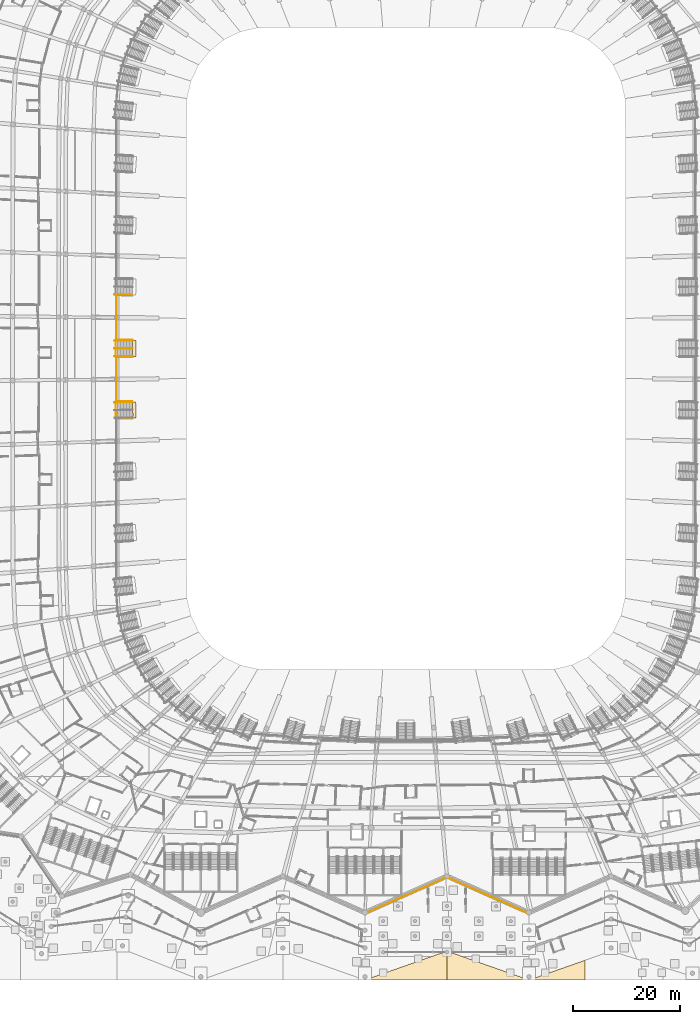
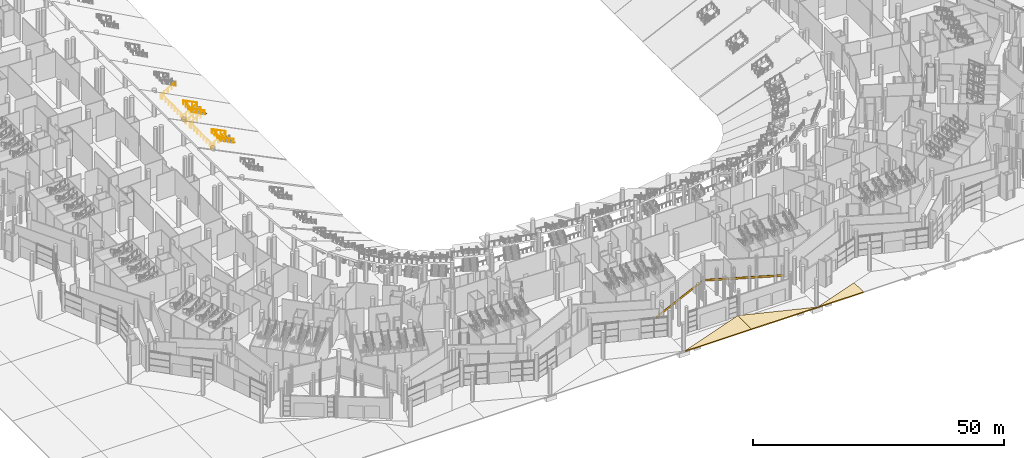
# One storey, part 203 of 255: 9 railings, 7 coverings.
"""IFC4 building model written with IfcOpenShell, lengths in metres."""

from ifc_helpers import new_model, si_unit, direction, frame, origin, origin_2d, place, context, subcontext, project, spatial, polyline, rectangle, circle, outline, extrude, material, layer, layer_set, type_object, element, save


model = new_model("IFC4")

# Units and contexts
model_context = context("Model", 3, precision=1e-05, world=origin(), true_north=direction((0.0, 1.0)))
body_context = subcontext(model_context, "Body", "Model", "MODEL_VIEW")
ifc_project = project(units=[si_unit("LENGTHUNIT", "METRE"), si_unit("AREAUNIT", "SQUARE_METRE"), si_unit("VOLUMEUNIT", "CUBIC_METRE"), si_unit("PLANEANGLEUNIT", "RADIAN"), si_unit("MASSUNIT", "GRAM", prefix="KILO")], contexts=[model_context])

# Site, building, storey
site_placement = place(None, origin())
site = spatial("IfcSite", under=ifc_project, at=site_placement, CompositionType="ELEMENT")
building_placement = place(site_placement, origin())
building = spatial("IfcBuilding", under=site, at=building_placement, Name="Meseta Stadium", CompositionType="ELEMENT")
storey_placement = place(building_placement, origin())
storey = spatial("IfcBuildingStorey", under=building, at=storey_placement, Name="L00", CompositionType="ELEMENT", Elevation=0.0)

# Coverings
ifc_material_1 = material(Name="Guadarrama granite cladding", Category="masonry")
ifc_layer_1 = layer(ifc_material_1, 0.06005859375)
ifc_layer_set_1 = layer_set([ifc_layer_1], Name="Granite plinth cladding 60")
covering_type_1 = type_object("IfcCoveringType", Name="Granite plinth cladding 60", PredefinedType="CLADDING", material=ifc_layer_set_1)
for number, where, z_axis, x_axis, name in (
    (1, (0.10595703125, -102.17724609375, 0.0), (0.0, 0.0, 1.0), (-0.914139367606, -0.405400069798, 0.0), "Granite plinth L00 F46"),
    (2, (15.227294921875, -102.17724609375, 0.0), (0.0, 0.0, 1.0), (-0.914139367606, 0.405400069798, 0.0), "Granite plinth L00 F47"),
):
    element("IfcCovering", number, at=place(storey_placement, frame(where, z_axis=z_axis, x_axis=x_axis)), inside=storey, type_object=covering_type_1, Name=name, PredefinedType="CLADDING", context=body_context, shape_type="SweptSolid", body=[
        extrude(rectangle(XDim=15.58447265625, YDim=0.06005859375, at=origin_2d()), origin(), (0.0, 0.0, 1.0), 0.5),
    ])
ifc_material_2 = material(Name="Guadarrama granite paving on bedding", Category="masonry")
ifc_layer_2 = layer(ifc_material_2, 0.25)
ifc_layer_set_2 = layer_set([ifc_layer_2], Name="Ground paving 250")
covering_type_2 = type_object("IfcCoveringType", Name="Ground paving 250", PredefinedType="FLOORING", material=ifc_layer_set_2)
covering_1_placement = place(storey_placement, frame((0.0, 0.0, -0.25)))
element("IfcCovering", 3, at=covering_1_placement, inside=storey, type_object=covering_type_2, Name="Forecourt paving 01", PredefinedType="FLOORING", context=body_context, shape_type="SweptSolid", body=[
    extrude(outline(polyline([(23.0, -118.0), (33.499755859375, -118.0), (33.499755859375, -114.30224609375), (23.0, -118.0)])), origin(), (0.0, 0.0, 1.0), 0.25),
])
covering_2_placement = place(storey_placement, frame((0.0, 0.0, -0.25)))
element("IfcCovering", 4, at=covering_2_placement, inside=storey, type_object=covering_type_2, Name="Forecourt paving 04", PredefinedType="FLOORING", context=body_context, shape_type="SweptSolid", body=[
    extrude(outline(polyline([(7.666748046875, -118.0), (7.666748046875, -112.497314453125), (7.58837890625, -112.5078125), (7.515380859375, -112.5380859375), (7.45263671875, -112.5859375), (7.383544921875, -112.69970703125), (-7.666748046875, -118.0), (7.666748046875, -118.0)])), origin(), (0.0, 0.0, 1.0), 0.25),
])
covering_3_placement = place(storey_placement, frame((0.0, 0.0, -0.25)))
element("IfcCovering", 5, at=covering_3_placement, inside=storey, type_object=covering_type_2, Name="Forecourt paving 05", PredefinedType="FLOORING", context=body_context, shape_type="SweptSolid", body=[
    extrude(outline(polyline([(7.666748046875, -118.0), (23.0, -118.0), (7.949951171875, -112.69970703125), (7.880615234375, -112.5859375), (7.818115234375, -112.5380859375), (7.7451171875, -112.5078125), (7.666748046875, -112.497314453125), (7.666748046875, -118.0)])), origin(), (0.0, 0.0, 1.0), 0.25),
])

# Railings
ifc_material_3 = material(Name="Steel S355", Category="steel")
railing_type_1 = type_object("IfcRailingType", Name="Plate edge guard 1100", PredefinedType="GUARDRAIL", material=ifc_material_3)
railing_1_placement = place(storey_placement, frame((-54.09765625, 9.966796875, 0.0)))
element("IfcRailing", 6, at=railing_1_placement, inside=storey, type_object=railing_type_1, Name="L00 inner edge guard 33", PredefinedType="GUARDRAIL", context=body_context, shape_type="SweptSolid", body=[
    extrude(circle(Radius=0.02490234375, at=origin_2d()), frame((0.0, 0.0, 1.0751953125), z_axis=(-0.000261681147, -0.999999965761, 0.0), x_axis=(0.999999965761, -0.000261681147, 0.0)), (0.0, 0.0, 1.0), 8.396728515625),
    extrude(circle(Radius=0.02001953125, at=origin_2d()), origin(), (0.0, 0.0, 1.0), 1.050048828125),
    extrude(circle(Radius=0.02001953125, at=origin_2d()), frame((-0.000244140625, -1.199462890625, 0.0)), (0.0, 0.0, 1.0), 1.050048828125),
    extrude(circle(Radius=0.02001953125, at=origin_2d()), frame((-0.000732421875, -2.399169921875, 0.0)), (0.0, 0.0, 1.0), 1.050048828125),
    extrude(circle(Radius=0.02001953125, at=origin_2d()), frame((-0.0009765625, -3.5986328125, 0.0)), (0.0, 0.0, 1.0), 1.050048828125),
    extrude(circle(Radius=0.02001953125, at=origin_2d()), frame((-0.001220703125, -4.798095703125, 0.0)), (0.0, 0.0, 1.0), 1.050048828125),
    extrude(circle(Radius=0.02001953125, at=origin_2d()), frame((-0.00146484375, -5.99755859375, 0.0)), (0.0, 0.0, 1.0), 1.050048828125),
    extrude(circle(Radius=0.02001953125, at=origin_2d()), frame((-0.001953125, -7.197265625, 0.0)), (0.0, 0.0, 1.0), 1.050048828125),
    extrude(circle(Radius=0.02001953125, at=origin_2d()), frame((-0.002197265625, -8.396728515625, 0.0)), (0.0, 0.0, 1.0), 1.050048828125),
])
railing_2_placement = place(storey_placement, frame((-54.099853515625, -1.570068359375, 0.0)))
element("IfcRailing", 7, at=railing_2_placement, inside=storey, type_object=railing_type_1, Name="L00 inner edge guard 34", PredefinedType="GUARDRAIL", context=body_context, shape_type="SweptSolid", body=[
    extrude(circle(Radius=0.02490234375, at=origin_2d()), frame((0.0, 0.0, 1.0751953125), z_axis=(0.000261681147, -0.999999965761, 0.0), x_axis=(0.999999965761, 0.000261681147, 0.0)), (0.0, 0.0, 1.0), 8.396728515625),
    extrude(circle(Radius=0.02001953125, at=origin_2d()), origin(), (0.0, 0.0, 1.0), 1.050048828125),
    extrude(circle(Radius=0.02001953125, at=origin_2d()), frame((0.000244140625, -1.199462890625, 0.0)), (0.0, 0.0, 1.0), 1.050048828125),
    extrude(circle(Radius=0.02001953125, at=origin_2d()), frame((0.000732421875, -2.399169921875, 0.0)), (0.0, 0.0, 1.0), 1.050048828125),
    extrude(circle(Radius=0.02001953125, at=origin_2d()), frame((0.0009765625, -3.5986328125, 0.0)), (0.0, 0.0, 1.0), 1.050048828125),
    extrude(circle(Radius=0.02001953125, at=origin_2d()), frame((0.001220703125, -4.798095703125, 0.0)), (0.0, 0.0, 1.0), 1.050048828125),
    extrude(circle(Radius=0.02001953125, at=origin_2d()), frame((0.00146484375, -5.99755859375, 0.0)), (0.0, 0.0, 1.0), 1.050048828125),
    extrude(circle(Radius=0.02001953125, at=origin_2d()), frame((0.001953125, -7.197265625, 0.0)), (0.0, 0.0, 1.0), 1.050048828125),
    extrude(circle(Radius=0.02001953125, at=origin_2d()), frame((0.002197265625, -8.396728515625, 0.0)), (0.0, 0.0, 1.0), 1.050048828125),
])

# Coverings
ifc_material_4 = material(Name="Stone paving", Category="masonry")
ifc_layer_3 = layer(ifc_material_4, 0.02001953125)
ifc_layer_set_3 = layer_set([ifc_layer_3], Name="Vomitory exit threshold plate 20")
covering_type_3 = type_object("IfcCoveringType", Name="Vomitory exit threshold plate 20", PredefinedType="FLOORING", material=ifc_layer_set_3)
for number, where, z_axis, x_axis, name in (
    (8, (-50.75830078125, 0.0, 2.130615234375), (0.0, 0.0, 1.0), (1.0, 0.0, 0.0), "Vomitory V-lower-33 exit threshold"),
    (9, (-50.755859375, -11.4638671875, 2.130615234375), (0.0, 0.0, 1.0), (0.999759622364, 0.021924814479, 0.0), "Vomitory V-lower-34 exit threshold"),
):
    element("IfcCovering", number, at=place(storey_placement, frame(where, z_axis=z_axis, x_axis=x_axis)), inside=storey, type_object=covering_type_3, Name=name, PredefinedType="FLOORING", context=body_context, shape_type="SweptSolid", body=[
        extrude(rectangle(XDim=0.60009765625, YDim=3.0, at=origin_2d()), origin(), (0.0, 0.0, 1.0), 0.02001953125),
    ])

# Railings
ifc_material_5 = material(Name="Steel S355", Category="steel")
railing_type_2 = type_object("IfcRailingType", Name="Vomitory slot guard 1100", PredefinedType="GUARDRAIL", material=ifc_material_5)
railing_3_placement = place(storey_placement, frame((-51.099365234375, -1.60009765625, 2.150634765625)))
element("IfcRailing", 10, at=railing_3_placement, inside=storey, type_object=railing_type_2, Name="Vomitory V-lower-33 slot guard", PredefinedType="GUARDRAIL", context=body_context, shape_type="SweptSolid", body=[
    extrude(circle(Radius=0.02490234375, at=origin_2d()), frame((0.0, 0.0, 1.0751953125), z_axis=(-0.890834888581, 0.0, 0.454327196287), x_axis=(0.0, -1.0, 0.0)), (0.0, 0.0, 1.0), 3.47998046875),
    extrude(circle(Radius=0.02490234375, at=origin_2d()), frame((-3.10009765625, 0.0, 2.65625), z_axis=(0.0, 1.0, 0.0), x_axis=(-1.0, 0.0, 0.0)), (0.0, 0.0, 1.0), 3.2001953125),
    extrude(circle(Radius=0.02490234375, at=origin_2d()), frame((-3.10009765625, 3.2001953125, 2.65625), z_axis=(0.890834888581, 0.0, -0.454327196287), x_axis=(0.0, 1.0, 0.0)), (0.0, 0.0, 1.0), 3.47998046875),
    extrude(circle(Radius=0.02001953125, at=origin_2d()), origin(), (0.0, 0.0, 1.0), 1.050048828125),
    extrude(circle(Radius=0.02001953125, at=origin_2d()), frame((-1.033447265625, 0.0, 0.527099609375)), (0.0, 0.0, 1.0), 1.050048828125),
    extrude(circle(Radius=0.02001953125, at=origin_2d()), frame((-2.066650390625, 0.0, 1.053955078125)), (0.0, 0.0, 1.0), 1.050048828125),
    extrude(circle(Radius=0.02001953125, at=origin_2d()), frame((-3.10009765625, 0.0, 1.5810546875)), (0.0, 0.0, 1.0), 1.050048828125),
    extrude(circle(Radius=0.02001953125, at=origin_2d()), frame((-3.10009765625, 1.066650390625, 1.5810546875)), (0.0, 0.0, 1.0), 1.050048828125),
    extrude(circle(Radius=0.02001953125, at=origin_2d()), frame((-3.10009765625, 2.133544921875, 1.5810546875)), (0.0, 0.0, 1.0), 1.050048828125),
    extrude(circle(Radius=0.02001953125, at=origin_2d()), frame((-3.10009765625, 3.2001953125, 1.5810546875)), (0.0, 0.0, 1.0), 1.050048828125),
    extrude(circle(Radius=0.02001953125, at=origin_2d()), frame((-2.066650390625, 3.2001953125, 1.053955078125)), (0.0, 0.0, 1.0), 1.050048828125),
    extrude(circle(Radius=0.02001953125, at=origin_2d()), frame((-1.033447265625, 3.2001953125, 0.527099609375)), (0.0, 0.0, 1.0), 1.050048828125),
    extrude(circle(Radius=0.02001953125, at=origin_2d()), frame((0.0, 3.2001953125, 0.0)), (0.0, 0.0, 1.0), 1.050048828125),
])
railing_4_placement = place(storey_placement, frame((-51.06201171875, -13.071044921875, 2.150634765625)))
element("IfcRailing", 11, at=railing_4_placement, inside=storey, type_object=railing_type_2, Name="Vomitory V-lower-34 slot guard", PredefinedType="GUARDRAIL", context=body_context, shape_type="SweptSolid", body=[
    extrude(circle(Radius=0.02490234375, at=origin_2d()), frame((0.0, 0.0, 1.0751953125), z_axis=(-0.890607491186, -0.019504402281, 0.454354349529), x_axis=(0.021894860368, -0.999760278812, 0.0)), (0.0, 0.0, 1.0), 3.479736328125),
    extrude(circle(Radius=0.02490234375, at=origin_2d()), frame((-3.09912109375, -0.06787109375, 2.65625), z_axis=(-0.021896458331, 0.999760243815, 0.0), x_axis=(-0.999760243815, -0.021896458331, 0.0)), (0.0, 0.0, 1.0), 3.199951171875),
    extrude(circle(Radius=0.02490234375, at=origin_2d()), frame((-3.169189453125, 3.13134765625, 2.65625), z_axis=(0.890607491186, 0.019504402281, -0.454354349529), x_axis=(-0.021894860368, 0.999760278812, 0.0)), (0.0, 0.0, 1.0), 3.479736328125),
    extrude(circle(Radius=0.02001953125, at=origin_2d()), origin(), (0.0, 0.0, 1.0), 1.050048828125),
    extrude(circle(Radius=0.02001953125, at=origin_2d()), frame((-1.032958984375, -0.022705078125, 0.527099609375)), (0.0, 0.0, 1.0), 1.050048828125),
    extrude(circle(Radius=0.02001953125, at=origin_2d()), frame((-2.066162109375, -0.045166015625, 1.053955078125)), (0.0, 0.0, 1.0), 1.050048828125),
    extrude(circle(Radius=0.02001953125, at=origin_2d()), frame((-3.09912109375, -0.06787109375, 1.5810546875)), (0.0, 0.0, 1.0), 1.050048828125),
    extrude(circle(Radius=0.02001953125, at=origin_2d()), frame((-3.12255859375, 0.99853515625, 1.5810546875)), (0.0, 0.0, 1.0), 1.050048828125),
    extrude(circle(Radius=0.02001953125, at=origin_2d()), frame((-3.145751953125, 2.06494140625, 1.5810546875)), (0.0, 0.0, 1.0), 1.050048828125),
    extrude(circle(Radius=0.02001953125, at=origin_2d()), frame((-3.169189453125, 3.13134765625, 1.5810546875)), (0.0, 0.0, 1.0), 1.050048828125),
    extrude(circle(Radius=0.02001953125, at=origin_2d()), frame((-2.13623046875, 3.154052734375, 1.053955078125)), (0.0, 0.0, 1.0), 1.050048828125),
    extrude(circle(Radius=0.02001953125, at=origin_2d()), frame((-1.10302734375, 3.176513671875, 0.527099609375)), (0.0, 0.0, 1.0), 1.050048828125),
    extrude(circle(Radius=0.02001953125, at=origin_2d()), frame((-0.070068359375, 3.19921875, 0.0)), (0.0, 0.0, 1.0), 1.050048828125),
])
ifc_material_6 = material(Name="Steel S355", Category="steel")
railing_type_3 = type_object("IfcRailingType", Name="Vomitory stair guard 1100", PredefinedType="GUARDRAIL", material=ifc_material_6)
railing_5_placement = place(storey_placement, frame((-54.48779296875, 10.095458984375, 0.165283203125)))
element("IfcRailing", 12, at=railing_5_placement, inside=storey, type_object=railing_type_3, Name="Vomitory V-lower-32 guard right", PredefinedType="GUARDRAIL", context=body_context, shape_type="SweptSolid", body=[
    extrude(circle(Radius=0.02490234375, at=origin_2d()), frame((0.0, 0.0, 1.0751953125), z_axis=(0.86071057727, -0.018893341644, 0.508743888236), x_axis=(0.021945578454, 0.999759166793, 0.0)), (0.0, 0.0, 1.0), 3.90234375),
    extrude(circle(Radius=0.02001953125, at=origin_2d()), origin(), (0.0, 0.0, 1.0), 1.050048828125),
    extrude(circle(Radius=0.02001953125, at=origin_2d()), frame((0.83984375, -0.0185546875, 0.496337890625)), (0.0, 0.0, 1.0), 1.050048828125),
    extrude(circle(Radius=0.02001953125, at=origin_2d()), frame((1.679443359375, -0.036865234375, 0.99267578125)), (0.0, 0.0, 1.0), 1.050048828125),
    extrude(circle(Radius=0.02001953125, at=origin_2d()), frame((2.51904296875, -0.05517578125, 1.489013671875)), (0.0, 0.0, 1.0), 1.050048828125),
    extrude(circle(Radius=0.02001953125, at=origin_2d()), frame((3.35888671875, -0.07373046875, 1.9853515625)), (0.0, 0.0, 1.0), 1.050048828125),
])
for number, where, name in (
    (13, (-54.45947265625, 1.449951171875, 0.165283203125), "Vomitory V-lower-33 guard left"),
    (14, (-54.45947265625, -1.449951171875, 0.165283203125), "Vomitory V-lower-33 guard right"),
):
    element("IfcRailing", number, at=place(storey_placement, frame(where)), inside=storey, type_object=railing_type_3, Name=name, PredefinedType="GUARDRAIL", context=body_context, shape_type="SweptSolid", body=[
        extrude(circle(Radius=0.02490234375, at=origin_2d()), frame((0.0, 0.0, 1.0751953125), z_axis=(0.860945207933, 0.0, 0.508697698969), x_axis=(0.0, 1.0, 0.0)), (0.0, 0.0, 1.0), 3.90283203125),
        extrude(circle(Radius=0.02001953125, at=origin_2d()), origin(), (0.0, 0.0, 1.0), 1.050048828125),
        extrude(circle(Radius=0.02001953125, at=origin_2d()), frame((0.840087890625, 0.0, 0.496337890625)), (0.0, 0.0, 1.0), 1.050048828125),
        extrude(circle(Radius=0.02001953125, at=origin_2d()), frame((1.68017578125, 0.0, 0.99267578125)), (0.0, 0.0, 1.0), 1.050048828125),
        extrude(circle(Radius=0.02001953125, at=origin_2d()), frame((2.52001953125, 0.0, 1.489013671875)), (0.0, 0.0, 1.0), 1.050048828125),
        extrude(circle(Radius=0.02001953125, at=origin_2d()), frame((3.360107421875, 0.0, 1.9853515625)), (0.0, 0.0, 1.0), 1.050048828125),
    ])
railing_6_placement = place(storey_placement, frame((-54.48779296875, -10.095458984375, 0.165283203125)))
element("IfcRailing", 15, at=railing_6_placement, inside=storey, type_object=railing_type_3, Name="Vomitory V-lower-34 guard left", PredefinedType="GUARDRAIL", context=body_context, shape_type="SweptSolid", body=[
    extrude(circle(Radius=0.02490234375, at=origin_2d()), frame((0.0, 0.0, 1.0751953125), z_axis=(0.86071057727, 0.018893341644, 0.508743888236), x_axis=(-0.021945578454, 0.999759166793, 0.0)), (0.0, 0.0, 1.0), 3.90234375),
    extrude(circle(Radius=0.02001953125, at=origin_2d()), origin(), (0.0, 0.0, 1.0), 1.050048828125),
    extrude(circle(Radius=0.02001953125, at=origin_2d()), frame((0.83984375, 0.0185546875, 0.496337890625)), (0.0, 0.0, 1.0), 1.050048828125),
    extrude(circle(Radius=0.02001953125, at=origin_2d()), frame((1.679443359375, 0.036865234375, 0.99267578125)), (0.0, 0.0, 1.0), 1.050048828125),
    extrude(circle(Radius=0.02001953125, at=origin_2d()), frame((2.51904296875, 0.05517578125, 1.489013671875)), (0.0, 0.0, 1.0), 1.050048828125),
    extrude(circle(Radius=0.02001953125, at=origin_2d()), frame((3.35888671875, 0.07373046875, 1.9853515625)), (0.0, 0.0, 1.0), 1.050048828125),
])
ifc_material_7 = material(Name="Steel S355", Category="steel")
railing_type_4 = type_object("IfcRailingType", Name="Vomitory stair handrail 900", PredefinedType="HANDRAIL", material=ifc_material_7)
railing_7_placement = place(storey_placement, frame((-54.45947265625, 0.0, 0.165283203125)))
element("IfcRailing", 16, at=railing_7_placement, inside=storey, type_object=railing_type_4, Name="Vomitory V-lower-33 central handrail", PredefinedType="HANDRAIL", context=body_context, shape_type="SweptSolid", body=[
    extrude(circle(Radius=0.02490234375, at=origin_2d()), frame((0.0, 0.0, 0.875), z_axis=(0.860945207933, 0.0, 0.508697698969), x_axis=(0.0, 1.0, 0.0)), (0.0, 0.0, 1.0), 3.90283203125),
    extrude(circle(Radius=0.02001953125, at=origin_2d()), origin(), (0.0, 0.0, 1.0), 0.849853515625),
    extrude(circle(Radius=0.02001953125, at=origin_2d()), frame((0.840087890625, 0.0, 0.496337890625)), (0.0, 0.0, 1.0), 0.849853515625),
    extrude(circle(Radius=0.02001953125, at=origin_2d()), frame((1.68017578125, 0.0, 0.99267578125)), (0.0, 0.0, 1.0), 0.849853515625),
    extrude(circle(Radius=0.02001953125, at=origin_2d()), frame((2.52001953125, 0.0, 1.489013671875)), (0.0, 0.0, 1.0), 0.849853515625),
    extrude(circle(Radius=0.02001953125, at=origin_2d()), frame((3.360107421875, 0.0, 1.9853515625)), (0.0, 0.0, 1.0), 0.849853515625),
])

save(model, "model.ifc")
